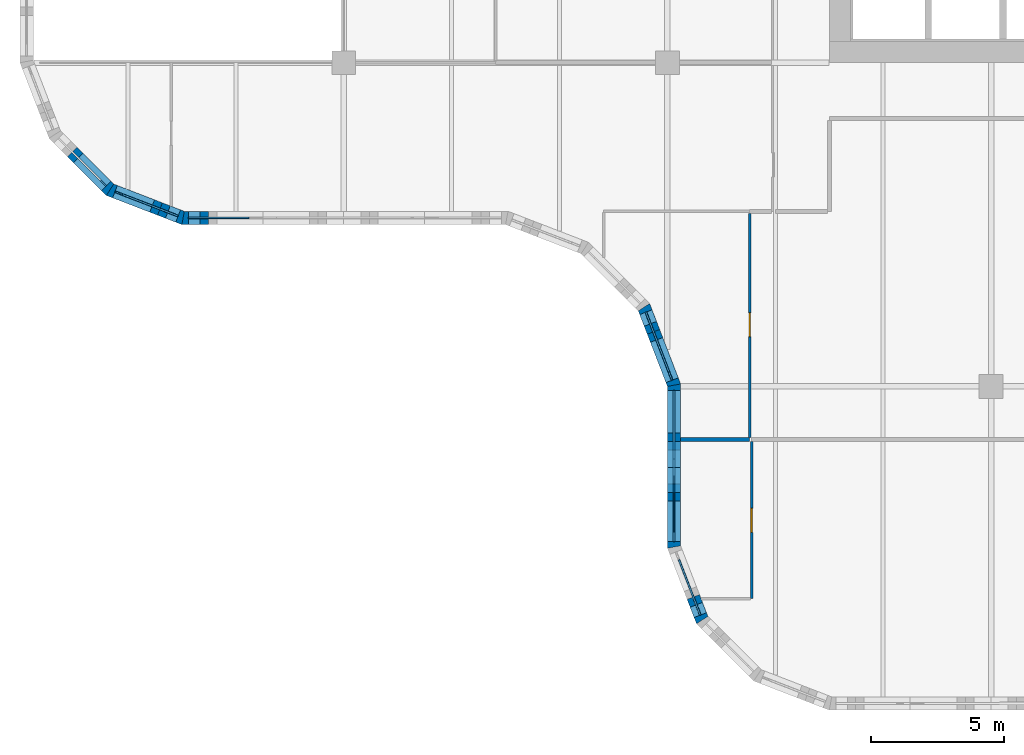
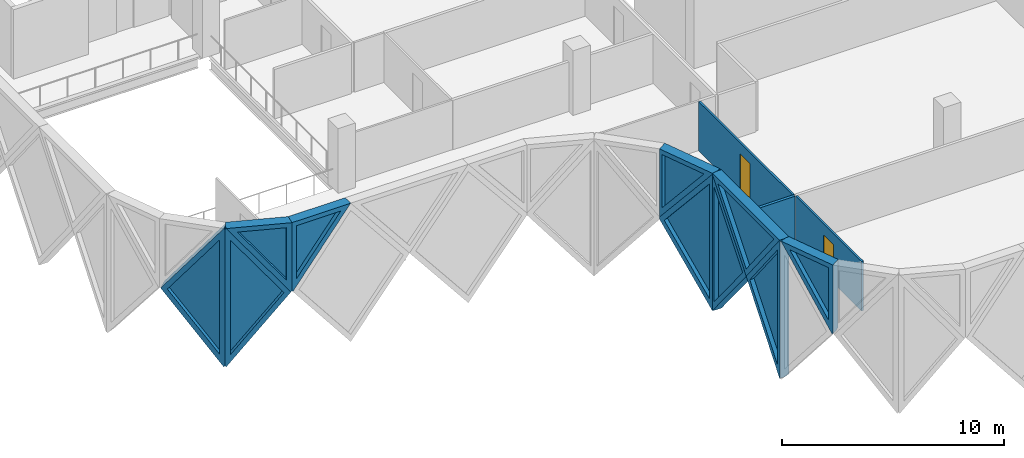
# One storey, part 4 of 24: 13 walls, 10 plates, 2 doors, 12 openings.
"""IFC4 building model written with IfcOpenShell, lengths in metres."""

from ifc_helpers import new_model, si_unit, direction, frame, frame_2d, origin, place, context, subcontext, project, spatial, polyline, rectangle, outline, extrude, faceted_brep, source, transform, mapped, material, layer, layer_set, type_object, element, fill, save


model = new_model("IFC4")

# Units and contexts
model_context = context("Model", 3, precision=1e-05, world=origin(), true_north=direction((0.0, 1.0)))
body_context = subcontext(model_context, "Body", "Model", "MODEL_VIEW")
ifc_project = project(units=[si_unit("LENGTHUNIT", "METRE"), si_unit("AREAUNIT", "SQUARE_METRE"), si_unit("VOLUMEUNIT", "CUBIC_METRE"), si_unit("PLANEANGLEUNIT", "RADIAN"), si_unit("MASSUNIT", "GRAM", prefix="KILO")], contexts=[model_context])

# Site, building, storey
site_placement = place(None, origin())
site = spatial("IfcSite", under=ifc_project, at=site_placement, CompositionType="ELEMENT")
building_placement = place(site_placement, origin())
building = spatial("IfcBuilding", under=site, at=building_placement, Name="Tessera Gate Towers", CompositionType="ELEMENT")
storey_placement = place(building_placement, frame((0.0, 0.0, 102.800048828125)))
storey = spatial("IfcBuildingStorey", under=building, at=storey_placement, Name="L25", CompositionType="ELEMENT", Elevation=102.800048828125)

# Wall, opening, door
ifc_material_1 = material(Name="Glass", Category="glass")
ifc_layer_1 = layer(ifc_material_1, 0.10009765625)
ifc_layer_set_1 = layer_set([ifc_layer_1], Name="GLAZED PARTITION 100")
wall_type_1 = type_object("IfcWallType", Name="GLAZED PARTITION 100", PredefinedType="PARTITIONING", material=ifc_layer_set_1)
wall_1_placement = place(storey_placement, frame((27.574951171875, 4.199951171875, 0.0), z_axis=(0.0, 0.0, 1.0), x_axis=(0.0, 1.0, 0.0)))
wall_1 = element("IfcWall", 1, at=wall_1_placement, inside=storey, type_object=wall_type_1, Name="T1-L25-PW-004", PredefinedType="PARTITIONING", context=body_context, shape_type="SweptSolid", body=[
    extrude(rectangle(XDim=5.924072265625, YDim=0.10009765625, at=frame_2d((2.9619140625, 0.0))), origin(), (0.0, 0.0, 1.0), 2.71484375),
])
shared_shape_1 = source(origin(), body_context, "Body", "SweptSolid", [
    extrude(rectangle(XDim=0.89990234375, YDim=2.10009765625, at=frame_2d((0.449951171875, 1.050048828125))), frame((0.0, 0.06005859375, 0.0), z_axis=(0.0, -1.0, 0.0), x_axis=(1.0, 0.0, 0.0)), (0.0, 0.0, 1.0), 0.1201171875),
])
opening_1_placement = place(wall_1_placement, frame((2.5, 0.0, 0.0)))
opening_1 = element("IfcOpeningElement", 2, at=opening_1_placement, cuts=wall_1, Name="Opening D690-A09-03", PredefinedType="OPENING", context=body_context, shape_type="MappedRepresentation", body=[
    mapped(shared_shape_1, transform((0.0, 0.0, 0.0), scale=1.0)),
])
ifc_material_2 = material(Name="Glass in aluminium frame", Category="aluminium")
door_type = type_object("IfcDoorType", Name="GLAZED DOOR 900 NOT RATED", OperationType="NOTDEFINED", PredefinedType="DOOR", material=ifc_material_2)
shared_shape_2 = source(origin(), body_context, "Body", "SweptSolid", [
    extrude(rectangle(XDim=0.89990234375, YDim=2.10009765625, at=frame_2d((0.449951171875, 1.050048828125))), frame((0.0, 0.02490234375, 0.0), z_axis=(0.0, -1.0, 0.0), x_axis=(1.0, 0.0, 0.0)), (0.0, 0.0, 1.0), 0.050048828125),
])
door_1_placement = place(opening_1_placement, origin())
door_1 = element("IfcDoor", 3, at=door_1_placement, inside=storey, type_object=door_type, Name="T1-L25-PD-019", OperationType="SINGLE_SWING_LEFT", OverallHeight=2.10009765625, OverallWidth=0.89990234375, PredefinedType="DOOR", context=body_context, shape_type="MappedRepresentation", body=[
    mapped(shared_shape_2, transform((0.0, 0.0, 0.0), scale=1.0)),
])
fill(opening_1, door_1)

wall_2_placement = place(storey_placement, frame((27.5, 10.27587890625, 0.0), z_axis=(0.0, 0.0, 1.0), x_axis=(0.0, 1.0, 0.0)))
wall_2 = element("IfcWall", 4, at=wall_2_placement, inside=storey, type_object=wall_type_1, Name="T1-L25-PW-010", PredefinedType="PARTITIONING", context=body_context, shape_type="SweptSolid", body=[
    extrude(rectangle(XDim=8.4482421875, YDim=0.10009765625, at=frame_2d((4.22412109375, 0.0))), origin(), (0.0, 0.0, 1.0), 2.71484375),
])
opening_2_placement = place(wall_2_placement, frame((3.800048828125, 0.0, 0.0)))
opening_2 = element("IfcOpeningElement", 5, at=opening_2_placement, cuts=wall_2, Name="Opening D690-A09-04", PredefinedType="OPENING", context=body_context, shape_type="MappedRepresentation", body=[
    mapped(shared_shape_1, transform((0.0, 0.0, 0.0), scale=1.0)),
])
door_2_placement = place(opening_2_placement, origin())
door_2 = element("IfcDoor", 6, at=door_2_placement, inside=storey, type_object=door_type, Name="T1-L25-PD-024", OperationType="SINGLE_SWING_LEFT", OverallHeight=2.10009765625, OverallWidth=0.89990234375, PredefinedType="DOOR", context=body_context, shape_type="MappedRepresentation", body=[
    mapped(shared_shape_2, transform((0.0, 0.0, 0.0), scale=1.0)),
])
fill(opening_2, door_2)

# Wall
ifc_material_3 = material(Name="Gypsum board on steel studs, mineral wool", Category="steel")
ifc_layer_2 = layer(ifc_material_3, 0.14990234375)
ifc_layer_set_2 = layer_set([ifc_layer_2], Name="TENANCY WALL 150")
wall_type_2 = type_object("IfcWallType", Name="TENANCY WALL 150", PredefinedType="PARTITIONING", material=ifc_layer_set_2)
wall_3_placement = place(storey_placement, frame((24.89990234375, 10.199951171875, 0.0), z_axis=(0.0, 0.0, 1.0), x_axis=(1.0, 0.0, 0.0)))
element("IfcWall", 7, at=wall_3_placement, inside=storey, type_object=wall_type_2, Name="T1-L25-PW-008", PredefinedType="PARTITIONING", context=body_context, shape_type="SweptSolid", body=[
    extrude(rectangle(XDim=2.60009765625, YDim=0.14990234375, at=frame_2d((1.300048828125, 0.0))), origin(), (0.0, 0.0, 1.0), 2.71484375),
])

# Wall, opening, plate
ifc_material_4 = material(Name="Precast concrete C60/75 white", Category="concrete")
ifc_layer_3 = layer(ifc_material_4, 0.5)
ifc_layer_set_3 = layer_set([ifc_layer_3], Name="TS3 corner tessera")
wall_type_3 = type_object("IfcWallType", Name="TS3 corner tessera", PredefinedType="SOLIDWALL", material=ifc_layer_set_3)
shared_shape_3 = source(origin(), body_context, "Body", "Brep", [
    faceted_brep([(3.00341796875, -0.25, 0.0), (3.050048828125, -0.25, 0.06005859375), (3.050048828125, -0.25, 7.5400390625), (3.00341796875, -0.25, 7.60009765625), (0.0, -0.25, 3.800048828125), (0.0, 0.25, 3.800048828125), (2.956787109375, 0.25, 7.541259765625), (2.956787109375, 0.25, 0.058837890625), (3.00341796875, 0.000244140625, 0.0), (3.00341796875, 0.000244140625, 7.60009765625)], [[[0, 1, 2, 3, 4]], [[5, 6, 7]], [[1, 0, 8]], [[9, 3, 2]], [[6, 5, 4, 3, 9]], [[5, 7, 8, 0, 4]], [[1, 8, 7, 6, 9, 2]]]),
])
wall_4_placement = place(storey_placement, frame((24.64990234375, 9.14990234375, -3.800048828125), z_axis=(0.0, 0.0, 1.0), x_axis=(0.0, -1.0, 0.0)))
wall_4 = element("IfcWall", 8, at=wall_4_placement, inside=storey, type_object=wall_type_3, Name="Precast corner tessera T1 TS3-0573", PredefinedType="SOLIDWALL", context=body_context, shape_type="MappedRepresentation", body=[
    mapped(shared_shape_3, transform((0.0, 0.0, 0.0), scale=1.0)),
])
shared_shape_4 = source(origin(), body_context, "Body", "SweptSolid", [
    extrude(outline(polyline([(2.803466796875, 6.94384765625), (0.318603515625, 3.800048828125), (2.803466796875, 0.65625), (2.803466796875, 6.94384765625)])), frame((0.0, 0.260009765625, 0.0), z_axis=(0.0, -1.0, 0.0), x_axis=(1.0, 0.0, 0.0)), (0.0, 0.0, 1.0), 0.52001953125),
])
opening_3_placement = place(wall_4_placement, origin())
opening_3 = element("IfcOpeningElement", 9, at=opening_3_placement, cuts=wall_4, Name="Opening T1-PL2-0889", PredefinedType="OPENING", context=body_context, shape_type="MappedRepresentation", body=[
    mapped(shared_shape_4, transform((0.0, 0.0, 0.0), scale=1.0)),
])
ifc_material_5 = material(Name="Low-e laminated glass", Category="glass")
ifc_layer_4 = layer(ifc_material_5, 0.06005859375)
ifc_layer_set_4 = layer_set([ifc_layer_4], Name="PL2 rhombic pane")
plate_type_1 = type_object("IfcPlateType", Name="PL2 rhombic pane", PredefinedType="SHEET", material=ifc_layer_set_4)
shared_shape_5 = source(origin(), body_context, "Body", "SweptSolid", [
    extrude(outline(polyline([(2.803466796875, 6.94384765625), (0.318603515625, 3.800048828125), (2.803466796875, 0.65625), (2.803466796875, 6.94384765625)])), frame((0.0, 0.030029296875, 0.0), z_axis=(0.0, -1.0, 0.0), x_axis=(1.0, 0.0, 0.0)), (0.0, 0.0, 1.0), 0.06005859375),
])
plate_1_placement = place(opening_3_placement, origin())
plate_1 = element("IfcPlate", 10, at=plate_1_placement, inside=storey, type_object=plate_type_1, Name="Glass pane T1 PL2-0889", PredefinedType="SHEET", context=body_context, shape_type="MappedRepresentation", body=[
    mapped(shared_shape_5, transform((0.0, 0.0, 0.0), scale=1.0)),
])
fill(opening_3, plate_1)

shared_shape_6 = source(origin(), body_context, "Body", "Brep", [
    faceted_brep([(0.052978515625, -0.25, 0.0), (3.00341796875, -0.25, 3.800048828125), (0.052978515625, -0.25, 7.60009765625), (0.0, -0.25, 7.53173828125), (0.0, -0.25, 0.068359375), (0.10595703125, 0.25, 7.531982421875), (2.95703125, 0.25, 3.85986328125), (2.95703125, 0.25, 3.740234375), (0.10595703125, 0.25, 0.068115234375), (3.00341796875, 0.00048828125, 3.800048828125), (0.052978515625, 0.0, 0.0), (0.052978515625, 0.0, 7.60009765625)], [[[0, 1, 2, 3, 4]], [[5, 6, 7, 8]], [[8, 7, 9, 1, 0, 10]], [[6, 5, 11, 2, 1, 9]], [[3, 2, 11]], [[10, 0, 4]], [[8, 10, 4, 3, 11, 5]], [[9, 7, 6]]]),
])
wall_5_placement = place(storey_placement, frame((3.34423828125, 19.630859375, -3.800048828125), z_axis=(0.0, 0.0, 1.0), x_axis=(0.933007896601, -0.359855894603, 0.0)))
wall_5 = element("IfcWall", 11, at=wall_5_placement, inside=storey, type_object=wall_type_3, Name="Precast corner tessera T1 TS3-0568", PredefinedType="SOLIDWALL", context=body_context, shape_type="MappedRepresentation", body=[
    mapped(shared_shape_6, transform((0.0, 0.0, 0.0), scale=1.0)),
])
shared_shape_7 = source(origin(), body_context, "Body", "SweptSolid", [
    extrude(outline(polyline([(0.2529296875, 0.665283203125), (2.68701171875, 3.800048828125), (0.2529296875, 6.934814453125), (0.2529296875, 0.665283203125)])), frame((0.0, 0.260009765625, 0.0), z_axis=(0.0, -1.0, 0.0), x_axis=(1.0, 0.0, 0.0)), (0.0, 0.0, 1.0), 0.52001953125),
])
opening_4_placement = place(wall_5_placement, origin())
opening_4 = element("IfcOpeningElement", 12, at=opening_4_placement, cuts=wall_5, Name="Opening T1-PL2-0882", PredefinedType="OPENING", context=body_context, shape_type="MappedRepresentation", body=[
    mapped(shared_shape_7, transform((0.0, 0.0, 0.0), scale=1.0)),
])
shared_shape_8 = source(origin(), body_context, "Body", "SweptSolid", [
    extrude(outline(polyline([(0.2529296875, 0.665283203125), (2.68701171875, 3.800048828125), (0.2529296875, 6.934814453125), (0.2529296875, 0.665283203125)])), frame((0.0, 0.030029296875, 0.0), z_axis=(0.0, -1.0, 0.0), x_axis=(1.0, 0.0, 0.0)), (0.0, 0.0, 1.0), 0.06005859375),
])
plate_2_placement = place(opening_4_placement, origin())
plate_2 = element("IfcPlate", 13, at=plate_2_placement, inside=storey, type_object=plate_type_1, Name="Glass pane T1 PL2-0882", PredefinedType="SHEET", context=body_context, shape_type="MappedRepresentation", body=[
    mapped(shared_shape_8, transform((0.0, 0.0, 0.0), scale=1.0)),
])
fill(opening_4, plate_2)

shared_shape_9 = source(origin(), body_context, "Body", "Brep", [
    faceted_brep([(2.944091796875, -0.25, 0.0), (2.9970703125, -0.25, 0.068115234375), (2.9970703125, -0.25, 7.531982421875), (2.944091796875, -0.25, 7.60009765625), (0.0, -0.25, 3.800048828125), (0.052978515625, 0.25, 3.868408203125), (2.89111328125, 0.25, 7.531982421875), (2.89111328125, 0.25, 0.068115234375), (0.052978515625, 0.25, 3.731689453125), (2.944091796875, 0.000244140625, 0.0), (2.944091796875, 0.000244140625, 7.60009765625), (0.0, 0.0, 3.800048828125)], [[[0, 1, 2, 3, 4]], [[5, 6, 7, 8]], [[1, 0, 9]], [[10, 3, 2]], [[6, 5, 11, 4, 3, 10]], [[8, 7, 9, 0, 4, 11]], [[8, 11, 5]], [[1, 9, 7, 6, 10, 2]]]),
])
wall_6_placement = place(storey_placement, frame((1.31201171875, 21.69384765625, -3.800048828125), z_axis=(0.0, 0.0, 1.0), x_axis=(0.707066050402, -0.707147509625, 0.0)))
wall_6 = element("IfcWall", 14, at=wall_6_placement, inside=storey, type_object=wall_type_3, Name="Precast corner tessera T1 TS3-0567", PredefinedType="SOLIDWALL", context=body_context, shape_type="MappedRepresentation", body=[
    mapped(shared_shape_9, transform((0.0, 0.0, 0.0), scale=1.0)),
])
shared_shape_10 = source(origin(), body_context, "Body", "SweptSolid", [
    extrude(outline(polyline([(2.744140625, 6.93359375), (0.316162109375, 3.800048828125), (2.744140625, 0.666259765625), (2.744140625, 6.93359375)])), frame((0.0, 0.260009765625, 0.0), z_axis=(0.0, -1.0, 0.0), x_axis=(1.0, 0.0, 0.0)), (0.0, 0.0, 1.0), 0.52001953125),
])
opening_5_placement = place(wall_6_placement, origin())
opening_5 = element("IfcOpeningElement", 15, at=opening_5_placement, cuts=wall_6, Name="Opening T1-PL2-0881", PredefinedType="OPENING", context=body_context, shape_type="MappedRepresentation", body=[
    mapped(shared_shape_10, transform((0.0, 0.0, 0.0), scale=1.0)),
])
shared_shape_11 = source(origin(), body_context, "Body", "SweptSolid", [
    extrude(outline(polyline([(2.744140625, 6.93359375), (0.316162109375, 3.800048828125), (2.744140625, 0.666259765625), (2.744140625, 6.93359375)])), frame((0.0, 0.030029296875, 0.0), z_axis=(0.0, -1.0, 0.0), x_axis=(1.0, 0.0, 0.0)), (0.0, 0.0, 1.0), 0.06005859375),
])
plate_3_placement = place(opening_5_placement, origin())
plate_3 = element("IfcPlate", 16, at=plate_3_placement, inside=storey, type_object=plate_type_1, Name="Glass pane T1 PL2-0881", PredefinedType="SHEET", context=body_context, shape_type="MappedRepresentation", body=[
    mapped(shared_shape_11, transform((0.0, 0.0, 0.0), scale=1.0)),
])
fill(opening_5, plate_3)

shared_shape_12 = source(origin(), body_context, "Body", "Brep", [
    faceted_brep([(3.10302734375, -0.25, 7.5439453125), (0.052978515625, -0.25, 3.864013671875), (0.052978515625, -0.25, 3.736083984375), (3.10302734375, -0.25, 0.05615234375), (0.0, 0.25, 3.800048828125), (3.1494140625, 0.25, 7.60009765625), (3.196044921875, 0.25, 7.54296875), (3.196044921875, 0.25, 0.05712890625), (3.1494140625, 0.25, 0.0), (3.1494140625, -0.000244140625, 0.0), (3.1494140625, -0.000244140625, 7.60009765625), (0.0, 0.0, 3.800048828125)], [[[0, 1, 2, 3]], [[4, 5, 6, 7, 8]], [[8, 7, 9]], [[6, 5, 10]], [[5, 4, 11, 1, 0, 10]], [[4, 8, 9, 3, 2, 11]], [[11, 2, 1]], [[3, 9, 7, 6, 10, 0]]]),
])
wall_7_placement = place(storey_placement, frame((23.5166015625, 15.18505859375, -3.800048828125), z_axis=(0.0, 0.0, 1.0), x_axis=(0.359864468756, -0.933004589553, 0.0)))
wall_7 = element("IfcWall", 17, at=wall_7_placement, inside=storey, type_object=wall_type_3, Name="Precast corner tessera T1 TS3-0571", PredefinedType="SOLIDWALL", context=body_context, shape_type="MappedRepresentation", body=[
    mapped(shared_shape_12, transform((0.0, 0.0, 0.0), scale=1.0)),
])
shared_shape_13 = source(origin(), body_context, "Body", "SweptSolid", [
    extrude(outline(polyline([(2.949462890625, 6.966796875), (0.32470703125, 3.800048828125), (2.949462890625, 0.633056640625), (2.949462890625, 6.966796875)])), frame((0.0, 0.260009765625, 0.0), z_axis=(0.0, -1.0, 0.0), x_axis=(1.0, 0.0, 0.0)), (0.0, 0.0, 1.0), 0.52001953125),
])
opening_6_placement = place(wall_7_placement, origin())
opening_6 = element("IfcOpeningElement", 18, at=opening_6_placement, cuts=wall_7, Name="Opening T1-PL2-0887", PredefinedType="OPENING", context=body_context, shape_type="MappedRepresentation", body=[
    mapped(shared_shape_13, transform((0.0, 0.0, 0.0), scale=1.0)),
])
shared_shape_14 = source(origin(), body_context, "Body", "SweptSolid", [
    extrude(outline(polyline([(2.949462890625, 6.966796875), (0.32470703125, 3.800048828125), (2.949462890625, 0.633056640625), (2.949462890625, 6.966796875)])), frame((0.0, 0.030029296875, 0.0), z_axis=(0.0, -1.0, 0.0), x_axis=(1.0, 0.0, 0.0)), (0.0, 0.0, 1.0), 0.06005859375),
])
plate_4_placement = place(opening_6_placement, origin())
plate_4 = element("IfcPlate", 19, at=plate_4_placement, inside=storey, type_object=plate_type_1, Name="Glass pane T1 PL2-0887", PredefinedType="SHEET", context=body_context, shape_type="MappedRepresentation", body=[
    mapped(shared_shape_14, transform((0.0, 0.0, 0.0), scale=1.0)),
])
fill(opening_6, plate_4)

shared_shape_15 = source(origin(), body_context, "Body", "Brep", [
    faceted_brep([(0.09326171875, -0.25, 0.05712890625), (3.14306640625, -0.25, 3.800048828125), (0.09326171875, -0.25, 7.54296875), (0.0, 0.25, 7.5439453125), (0.046630859375, 0.25, 7.60009765625), (3.14306640625, 0.25, 3.800048828125), (0.046630859375, 0.25, 0.0), (0.0, 0.25, 0.05615234375), (0.046630859375, 0.0, 0.0), (0.046630859375, 0.0, 7.60009765625)], [[[0, 1, 2]], [[3, 4, 5, 6, 7]], [[6, 5, 1, 0, 8]], [[5, 4, 9, 2, 1]], [[4, 3, 9]], [[7, 6, 8]], [[7, 8, 0, 2, 9, 3]]]),
])
wall_8_placement = place(storey_placement, frame((24.64990234375, 12.293212890625, -3.800048828125), z_axis=(0.0, 0.0, 1.0), x_axis=(0.0, -1.0, 0.0)))
wall_8 = element("IfcWall", 20, at=wall_8_placement, inside=storey, type_object=wall_type_3, Name="Precast corner tessera T1 TS3-0572", PredefinedType="SOLIDWALL", context=body_context, shape_type="MappedRepresentation", body=[
    mapped(shared_shape_15, transform((0.0, 0.0, 0.0), scale=1.0)),
])
shared_shape_16 = source(origin(), body_context, "Body", "SweptSolid", [
    extrude(outline(polyline([(0.24658203125, 0.64111328125), (2.82080078125, 3.800048828125), (0.24658203125, 6.958740234375), (0.24658203125, 0.64111328125)])), frame((0.0, 0.260009765625, 0.0), z_axis=(0.0, -1.0, 0.0), x_axis=(1.0, 0.0, 0.0)), (0.0, 0.0, 1.0), 0.52001953125),
])
opening_7_placement = place(wall_8_placement, origin())
opening_7 = element("IfcOpeningElement", 21, at=opening_7_placement, cuts=wall_8, Name="Opening T1-PL2-0888", PredefinedType="OPENING", context=body_context, shape_type="MappedRepresentation", body=[
    mapped(shared_shape_16, transform((0.0, 0.0, 0.0), scale=1.0)),
])
shared_shape_17 = source(origin(), body_context, "Body", "SweptSolid", [
    extrude(outline(polyline([(0.24658203125, 0.64111328125), (2.82080078125, 3.800048828125), (0.24658203125, 6.958740234375), (0.24658203125, 0.64111328125)])), frame((0.0, 0.030029296875, 0.0), z_axis=(0.0, -1.0, 0.0), x_axis=(1.0, 0.0, 0.0)), (0.0, 0.0, 1.0), 0.06005859375),
])
plate_5_placement = place(opening_7_placement, origin())
plate_5 = element("IfcPlate", 22, at=plate_5_placement, inside=storey, type_object=plate_type_1, Name="Glass pane T1 PL2-0888", PredefinedType="SHEET", context=body_context, shape_type="MappedRepresentation", body=[
    mapped(shared_shape_17, transform((0.0, 0.0, 0.0), scale=1.0)),
])
fill(opening_7, plate_5)

shared_shape_18 = source(origin(), body_context, "Body", "Brep", [
    faceted_brep([(0.046630859375, -0.25, 0.0), (3.050048828125, -0.25, 3.800048828125), (0.0, -0.25, 3.800048828125), (0.0, -0.25, 0.06005859375), (0.09326171875, 0.25, 3.800048828125), (3.050048828125, 0.25, 3.800048828125), (0.09326171875, 0.25, 0.058837890625), (0.046630859375, 0.0, 0.0)], [[[0, 1, 2, 3]], [[4, 5, 6]], [[6, 5, 1, 0, 7]], [[5, 4, 2, 1]], [[7, 0, 3]], [[6, 7, 3, 2, 4]]]),
])
wall_9_placement = place(storey_placement, frame((6.099853515625, 18.550048828125, 0.0), z_axis=(0.0, 0.0, 1.0), x_axis=(1.0, 0.0, 0.0)))
wall_9 = element("IfcWall", 23, at=wall_9_placement, inside=storey, type_object=wall_type_3, Name="Precast corner tessera T1 TS3-0594", PredefinedType="SOLIDWALL", context=body_context, shape_type="MappedRepresentation", body=[
    mapped(shared_shape_18, transform((0.0, 0.0, 0.0), scale=1.0)),
])
shared_shape_19 = source(origin(), body_context, "Body", "SweptSolid", [
    extrude(outline(polyline([(0.24658203125, 0.65625), (2.533935546875, 3.550048828125), (0.24658203125, 3.550048828125), (0.24658203125, 0.65625)])), frame((0.0, 0.260009765625, 0.0), z_axis=(0.0, -1.0, 0.0), x_axis=(1.0, 0.0, 0.0)), (0.0, 0.0, 1.0), 0.52001953125),
])
opening_8_placement = place(wall_9_placement, origin())
opening_8 = element("IfcOpeningElement", 24, at=opening_8_placement, cuts=wall_9, Name="Opening T1-PL1-0273", PredefinedType="OPENING", context=body_context, shape_type="MappedRepresentation", body=[
    mapped(shared_shape_19, transform((0.0, 0.0, 0.0), scale=1.0)),
])
ifc_material_6 = material(Name="Low-e laminated glass", Category="glass")
ifc_layer_5 = layer(ifc_material_6, 0.06005859375)
ifc_layer_set_5 = layer_set([ifc_layer_5], Name="PL1 triangular pane")
plate_type_2 = type_object("IfcPlateType", Name="PL1 triangular pane", PredefinedType="SHEET", material=ifc_layer_set_5)
shared_shape_20 = source(origin(), body_context, "Body", "SweptSolid", [
    extrude(outline(polyline([(0.24658203125, 0.65625), (2.533935546875, 3.550048828125), (0.24658203125, 3.550048828125), (0.24658203125, 0.65625)])), frame((0.0, 0.030029296875, 0.0), z_axis=(0.0, -1.0, 0.0), x_axis=(1.0, 0.0, 0.0)), (0.0, 0.0, 1.0), 0.06005859375),
])
plate_6_placement = place(opening_8_placement, origin())
plate_6 = element("IfcPlate", 25, at=plate_6_placement, inside=storey, type_object=plate_type_2, Name="Glass pane T1 PL1-0273", PredefinedType="SHEET", context=body_context, shape_type="MappedRepresentation", body=[
    mapped(shared_shape_20, transform((0.0, 0.0, 0.0), scale=1.0)),
])
fill(opening_8, plate_6)

shared_shape_21 = source(origin(), body_context, "Body", "Brep", [
    faceted_brep([(2.950439453125, -0.25, 0.0), (2.9970703125, -0.25, 0.05908203125), (2.9970703125, -0.25, 3.800048828125), (0.0, -0.25, 3.800048828125), (0.052978515625, 0.25, 3.800048828125), (2.904052734375, 0.25, 3.800048828125), (2.904052734375, 0.25, 0.059814453125), (0.052978515625, 0.25, 3.73193359375), (2.950439453125, 0.00048828125, 0.0), (0.0, 0.0, 3.800048828125)], [[[0, 1, 2, 3]], [[4, 5, 6, 7]], [[1, 0, 8]], [[5, 4, 9, 3, 2]], [[7, 6, 8, 0, 3, 9]], [[7, 9, 4]], [[1, 8, 6, 5, 2]]]),
])
wall_10_placement = place(storey_placement, frame((3.393798828125, 19.61181640625, 0.0), z_axis=(0.0, 0.0, 1.0), x_axis=(0.932990326376, -0.359901446078, 0.0)))
wall_10 = element("IfcWall", 26, at=wall_10_placement, inside=storey, type_object=wall_type_3, Name="Precast corner tessera T1 TS3-0593", PredefinedType="SOLIDWALL", context=body_context, shape_type="MappedRepresentation", body=[
    mapped(shared_shape_21, transform((0.0, 0.0, 0.0), scale=1.0)),
])
shared_shape_22 = source(origin(), body_context, "Body", "SweptSolid", [
    extrude(outline(polyline([(2.75048828125, 3.550048828125), (0.5107421875, 3.550048828125), (2.75048828125, 0.665283203125), (2.75048828125, 3.550048828125)])), frame((0.0, 0.260009765625, 0.0), z_axis=(0.0, -1.0, 0.0), x_axis=(1.0, 0.0, 0.0)), (0.0, 0.0, 1.0), 0.52001953125),
])
opening_9_placement = place(wall_10_placement, origin())
opening_9 = element("IfcOpeningElement", 27, at=opening_9_placement, cuts=wall_10, Name="Opening T1-PL1-0272", PredefinedType="OPENING", context=body_context, shape_type="MappedRepresentation", body=[
    mapped(shared_shape_22, transform((0.0, 0.0, 0.0), scale=1.0)),
])
shared_shape_23 = source(origin(), body_context, "Body", "SweptSolid", [
    extrude(outline(polyline([(2.75048828125, 3.550048828125), (0.5107421875, 3.550048828125), (2.75048828125, 0.665283203125), (2.75048828125, 3.550048828125)])), frame((0.0, 0.030029296875, 0.0), z_axis=(0.0, -1.0, 0.0), x_axis=(1.0, 0.0, 0.0)), (0.0, 0.0, 1.0), 0.06005859375),
])
plate_7_placement = place(opening_9_placement, origin())
plate_7 = element("IfcPlate", 28, at=plate_7_placement, inside=storey, type_object=plate_type_2, Name="Glass pane T1 PL1-0272", PredefinedType="SHEET", context=body_context, shape_type="MappedRepresentation", body=[
    mapped(shared_shape_23, transform((0.0, 0.0, 0.0), scale=1.0)),
])
fill(opening_9, plate_7)

shared_shape_24 = source(origin(), body_context, "Body", "Brep", [
    faceted_brep([(0.10595703125, -0.25, 0.06396484375), (3.156005859375, -0.25, 3.743896484375), (3.156005859375, -0.25, 3.800048828125), (0.10595703125, -0.25, 3.800048828125), (0.0, 0.25, 3.800048828125), (3.202392578125, 0.25, 3.800048828125), (0.052978515625, 0.25, 0.0), (0.0, 0.25, 0.063720703125), (3.202392578125, -0.000244140625, 3.800048828125), (0.052978515625, 0.0, 0.0)], [[[0, 1, 2, 3]], [[4, 5, 6, 7]], [[6, 5, 8, 1, 0, 9]], [[5, 4, 3, 2, 8]], [[7, 6, 9]], [[7, 9, 0, 3, 4]], [[1, 8, 2]]]),
])
wall_11_placement = place(storey_placement, frame((23.497314453125, 15.234375, 0.0), z_axis=(0.0, 0.0, 1.0), x_axis=(0.359913782069, -0.932985567668, 0.0)))
wall_11 = element("IfcWall", 29, at=wall_11_placement, inside=storey, type_object=wall_type_3, Name="Precast corner tessera T1 TS3-0598", PredefinedType="SOLIDWALL", context=body_context, shape_type="MappedRepresentation", body=[
    mapped(shared_shape_24, transform((0.0, 0.0, 0.0), scale=1.0)),
])
shared_shape_25 = source(origin(), body_context, "Body", "SweptSolid", [
    extrude(outline(polyline([(0.2529296875, 0.633056640625), (2.670654296875, 3.550048828125), (0.2529296875, 3.550048828125), (0.2529296875, 0.633056640625)])), frame((0.0, 0.260009765625, 0.0), z_axis=(0.0, -1.0, 0.0), x_axis=(1.0, 0.0, 0.0)), (0.0, 0.0, 1.0), 0.52001953125),
])
opening_10_placement = place(wall_11_placement, origin())
opening_10 = element("IfcOpeningElement", 30, at=opening_10_placement, cuts=wall_11, Name="Opening T1-PL1-0278", PredefinedType="OPENING", context=body_context, shape_type="MappedRepresentation", body=[
    mapped(shared_shape_25, transform((0.0, 0.0, 0.0), scale=1.0)),
])
shared_shape_26 = source(origin(), body_context, "Body", "SweptSolid", [
    extrude(outline(polyline([(0.2529296875, 0.633056640625), (2.670654296875, 3.550048828125), (0.2529296875, 3.550048828125), (0.2529296875, 0.633056640625)])), frame((0.0, 0.030029296875, 0.0), z_axis=(0.0, -1.0, 0.0), x_axis=(1.0, 0.0, 0.0)), (0.0, 0.0, 1.0), 0.06005859375),
])
plate_8_placement = place(opening_10_placement, origin())
plate_8 = element("IfcPlate", 31, at=plate_8_placement, inside=storey, type_object=plate_type_2, Name="Glass pane T1 PL1-0278", PredefinedType="SHEET", context=body_context, shape_type="MappedRepresentation", body=[
    mapped(shared_shape_26, transform((0.0, 0.0, 0.0), scale=1.0)),
])
fill(opening_10, plate_8)

ifc_material_7 = material(Name="Precast concrete C60/75 white", Category="concrete")
ifc_layer_6 = layer(ifc_material_7, 0.5)
ifc_layer_set_6 = layer_set([ifc_layer_6], Name="TS2 half tessera")
wall_type_4 = type_object("IfcWallType", Name="TS2 half tessera", PredefinedType="SOLIDWALL", material=ifc_layer_set_6)
shared_shape_27 = source(origin(), body_context, "Body", "Brep", [
    faceted_brep([(3.096435546875, -0.25, 0.0), (6.10009765625, -0.25, 3.800048828125), (0.046630859375, -0.25, 3.800048828125), (0.046630859375, -0.25, 3.742919921875), (0.0, 0.25, 3.800048828125), (6.053466796875, 0.25, 3.800048828125), (6.053466796875, 0.25, 3.740966796875), (3.096435546875, 0.25, 0.0), (6.10009765625, -0.00048828125, 3.800048828125), (0.0, 0.0, 3.800048828125)], [[[0, 1, 2, 3]], [[4, 5, 6, 7]], [[7, 6, 8, 1, 0]], [[5, 4, 9, 2, 1, 8]], [[4, 7, 0, 3, 9]], [[3, 2, 9]], [[6, 5, 8]]]),
])
wall_12_placement = place(storey_placement, frame((24.64990234375, 12.24658203125, 0.0), z_axis=(0.0, 0.0, 1.0), x_axis=(0.0, -1.0, 0.0)))
wall_12 = element("IfcWall", 32, at=wall_12_placement, inside=storey, type_object=wall_type_4, Name="Precast half tessera T1 TS2-0137", PredefinedType="SOLIDWALL", context=body_context, shape_type="MappedRepresentation", body=[
    mapped(shared_shape_27, transform((0.0, 0.0, 0.0), scale=1.0)),
])
shared_shape_28 = source(origin(), body_context, "Body", "SweptSolid", [
    extrude(outline(polyline([(3.093505859375, 0.3994140625), (5.583740234375, 3.550048828125), (0.526123046875, 3.550048828125), (3.093505859375, 0.3994140625)])), frame((0.0, 0.260009765625, 0.0), z_axis=(0.0, -1.0, 0.0), x_axis=(1.0, 0.0, 0.0)), (0.0, 0.0, 1.0), 0.52001953125),
])
opening_11_placement = place(wall_12_placement, origin())
opening_11 = element("IfcOpeningElement", 33, at=opening_11_placement, cuts=wall_12, Name="Opening T1-PL1-0279", PredefinedType="OPENING", context=body_context, shape_type="MappedRepresentation", body=[
    mapped(shared_shape_28, transform((0.0, 0.0, 0.0), scale=1.0)),
])
shared_shape_29 = source(origin(), body_context, "Body", "SweptSolid", [
    extrude(outline(polyline([(3.093505859375, 0.3994140625), (5.583740234375, 3.550048828125), (0.526123046875, 3.550048828125), (3.093505859375, 0.3994140625)])), frame((0.0, 0.030029296875, 0.0), z_axis=(0.0, -1.0, 0.0), x_axis=(1.0, 0.0, 0.0)), (0.0, 0.0, 1.0), 0.06005859375),
])
plate_9_placement = place(opening_11_placement, origin())
plate_9 = element("IfcPlate", 34, at=plate_9_placement, inside=storey, type_object=plate_type_2, Name="Glass pane T1 PL1-0279", PredefinedType="SHEET", context=body_context, shape_type="MappedRepresentation", body=[
    mapped(shared_shape_29, transform((0.0, 0.0, 0.0), scale=1.0)),
])
fill(opening_11, plate_9)

shared_shape_30 = source(origin(), body_context, "Body", "Brep", [
    faceted_brep([(2.950439453125, -0.25, 0.0), (3.00341796875, -0.25, 0.068359375), (3.00341796875, -0.25, 3.800048828125), (0.0, -0.25, 3.800048828125), (0.046630859375, 0.25, 3.800048828125), (2.897705078125, 0.25, 3.800048828125), (2.897705078125, 0.25, 0.068115234375), (0.046630859375, 0.25, 3.739990234375), (2.950439453125, 0.00048828125, 0.0), (0.0, 0.0, 3.800048828125)], [[[0, 1, 2, 3]], [[4, 5, 6, 7]], [[1, 0, 8]], [[5, 4, 9, 3, 2]], [[7, 6, 8, 0, 3, 9]], [[7, 9, 4]], [[1, 8, 6, 5, 2]]]),
])
wall_13_placement = place(storey_placement, frame((24.64990234375, 6.146484375, 0.0), z_axis=(0.0, 0.0, 1.0), x_axis=(0.359953949349, -0.932970071518, 0.0)))
wall_13 = element("IfcWall", 35, at=wall_13_placement, inside=storey, type_object=wall_type_3, Name="Precast corner tessera T1 TS3-0599", PredefinedType="SOLIDWALL", context=body_context, shape_type="MappedRepresentation", body=[
    mapped(shared_shape_30, transform((0.0, 0.0, 0.0), scale=1.0)),
])
opening_12_placement = place(wall_13_placement, origin())
opening_12 = element("IfcOpeningElement", 36, at=opening_12_placement, cuts=wall_13, Name="Opening T1-PL1-0280", PredefinedType="OPENING", context=body_context, shape_type="MappedRepresentation", body=[
    mapped(shared_shape_22, transform((0.0, 0.0, 0.0), scale=1.0)),
])
plate_10_placement = place(opening_12_placement, origin())
plate_10 = element("IfcPlate", 37, at=plate_10_placement, inside=storey, type_object=plate_type_2, Name="Glass pane T1 PL1-0280", PredefinedType="SHEET", context=body_context, shape_type="MappedRepresentation", body=[
    mapped(shared_shape_23, transform((0.0, 0.0, 0.0), scale=1.0)),
])
fill(opening_12, plate_10)

save(model, "model.ifc")
